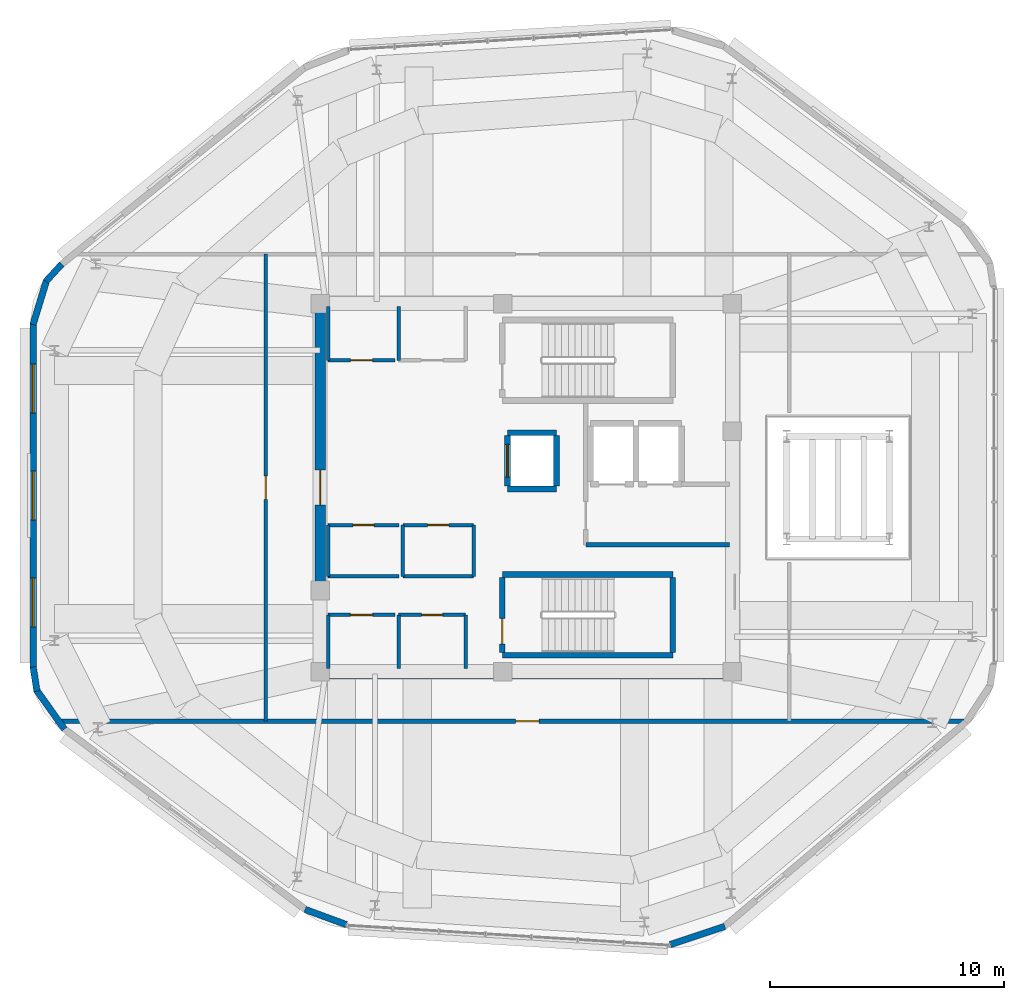
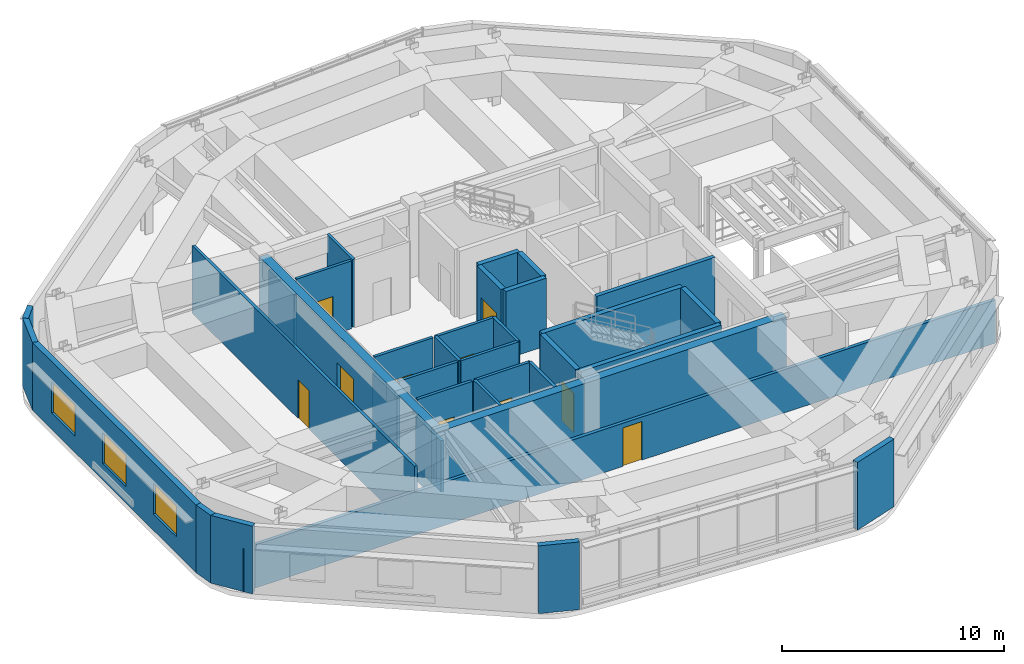
# One storey, part 14 of 17: 35 walls, 10 doors, 3 windows, 13 openings.
"""IFC4 building model written with IfcOpenShell, lengths in metres."""

from ifc_helpers import new_model, si_unit, direction, frame, frame_2d, origin, place, context, subcontext, project, spatial, rectangle, extrude, material, layer, layer_set, type_object, element, fill, save


model = new_model("IFC4")

# Units and contexts
model_context = context("Model", 3, precision=1e-05, world=origin(), true_north=direction((0.0, 1.0)))
body_context = subcontext(model_context, "Body", "Model", "MODEL_VIEW")
ifc_project = project(units=[si_unit("LENGTHUNIT", "METRE"), si_unit("AREAUNIT", "SQUARE_METRE"), si_unit("VOLUMEUNIT", "CUBIC_METRE"), si_unit("PLANEANGLEUNIT", "RADIAN"), si_unit("MASSUNIT", "GRAM", prefix="KILO")], contexts=[model_context])

# Site, building, storey
site_placement = place(None, origin())
site = spatial("IfcSite", under=ifc_project, at=site_placement, CompositionType="ELEMENT")
building_placement = place(site_placement, origin())
building = spatial("IfcBuilding", under=site, at=building_placement, Name="Zulverin Broadcast Headquarters", CompositionType="ELEMENT")
storey_placement = place(building_placement, frame((0.0, 0.0, 317.39990234375)))
storey = spatial("IfcBuildingStorey", under=building, at=storey_placement, Name="C2", CompositionType="ELEMENT", Elevation=317.39990234375)

# Wall
ifc_material_1 = material(Name="Concrete C50/60", Category="concrete")
ifc_layer_1 = layer(ifc_material_1, 0.449951171875, Name="Concrete C50/60", Category="concrete")
ifc_layer_set_1 = layer_set([ifc_layer_1], Name="Concrete C50/60")
wall_type_1 = type_object("IfcWallType", Name="WL-CORE-450", PredefinedType="SHEAR", material=ifc_layer_set_1)
wall_1_placement = place(storey_placement, frame((30.39990234375, 17.22509765625, 0.0), z_axis=(0.0, 0.0, 1.0), x_axis=(1.0, 0.0, 0.0)))
element("IfcWall", 1, at=wall_1_placement, inside=storey, type_object=wall_type_1, Name="C2 Core South Shear Wall", PredefinedType="SHEAR", context=body_context, shape_type="SweptSolid", body=[
    extrude(rectangle(XDim=18.2001953125, YDim=0.449951171875, at=frame_2d((9.10009765625, 0.0))), origin(), (0.0, 0.0, 1.0), 3.72021484375),
])

# Wall, opening, door
wall_2_placement = place(storey_placement, frame((30.625, 17.449951171875, 0.0), z_axis=(0.0, 0.0, 1.0), x_axis=(0.0, 1.0, 0.0)))
wall_2 = element("IfcWall", 2, at=wall_2_placement, inside=storey, type_object=wall_type_1, Name="C2 Core West Shear Wall", PredefinedType="SHEAR", context=body_context, shape_type="SweptSolid", body=[
    extrude(rectangle(XDim=15.5, YDim=0.449951171875, at=frame_2d((7.75, 0.0))), origin(), (0.0, 0.0, 1.0), 3.72021484375),
])
opening_1_placement = place(wall_2_placement, frame((7.0, 0.0, 0.0)))
opening_1 = element("IfcOpeningElement", 3, at=opening_1_placement, cuts=wall_2, Name="Opening D-C2-CW1", PredefinedType="OPENING", context=body_context, shape_type="SweptSolid", body=[
    extrude(rectangle(XDim=1.5, YDim=2.14990234375, at=frame_2d((0.75, 1.074951171875))), frame((0.0, 0.23486328125, 0.0), z_axis=(0.0, -1.0, 0.0), x_axis=(1.0, 0.0, 0.0)), (0.0, 0.0, 1.0), 0.469970703125),
])
ifc_material_2 = material(Name="Fire-rated glazed steel frame", Category="steel")
door_type_1 = type_object("IfcDoorType", Name="DR-COR-1500", OperationType="DOUBLE_DOOR_SINGLE_SWING", PredefinedType="DOOR", material=ifc_material_2)
door_1_placement = place(opening_1_placement, origin())
door_1 = element("IfcDoor", 4, at=door_1_placement, inside=storey, type_object=door_type_1, Name="C2 Central Lift Lobby West Portal Door", OperationType="DOUBLE_DOOR_SINGLE_SWING", OverallHeight=2.14990234375, OverallWidth=1.5, PredefinedType="DOOR", context=body_context, shape_type="SweptSolid", body=[
    extrude(rectangle(XDim=1.5, YDim=2.14990234375, at=frame_2d((0.75, 1.074951171875))), frame((0.0, 0.02490234375, 0.0), z_axis=(0.0, -1.0, 0.0), x_axis=(1.0, 0.0, 0.0)), (0.0, 0.0, 1.0), 0.050048828125),
])
fill(opening_1, door_1)

# Wall, openings, windows
ifc_material_3 = material(Name="Insulated pale-metal clad concrete spandrel C40/50", Category="concrete")
ifc_layer_2 = layer(ifc_material_3, 0.280029296875, Name="Insulated pale-metal clad concrete spandrel C40/50", Category="concrete")
ifc_layer_set_2 = layer_set([ifc_layer_2], Name="Insulated pale-metal clad concrete spandrel C40/50")
wall_type_2 = type_object("IfcWallType", Name="WL-EXT-280", PredefinedType="STANDARD", material=ifc_layer_set_2)
wall_3_placement = place(storey_placement, frame((18.340087890625, 32.2255859375, 0.0), z_axis=(0.0, 0.0, 1.0), x_axis=(0.0, -1.0, 0.0)))
wall_3 = element("IfcWall", 5, at=wall_3_placement, inside=storey, type_object=wall_type_2, Name="C2 Pale-Metal Clad Spandrel Wall 7", PredefinedType="STANDARD", context=body_context, shape_type="SweptSolid", body=[
    extrude(rectangle(XDim=14.724609375, YDim=0.280029296875, at=frame_2d((7.3623046875, 0.0))), origin(), (0.0, 0.0, 1.0), 3.72021484375),
])
opening_2_placement = place(wall_3_placement, frame((1.737548828125, 0.0, 0.89990234375)))
opening_2 = element("IfcOpeningElement", 6, at=opening_2_placement, cuts=wall_3, Name="Opening W-C2-E71", PredefinedType="OPENING", context=body_context, shape_type="SweptSolid", body=[
    extrude(rectangle(XDim=2.10009765625, YDim=1.699951171875, at=frame_2d((1.050048828125, 0.85009765625))), frame((0.0, 0.14990234375, 0.0), z_axis=(0.0, -1.0, 0.0), x_axis=(1.0, 0.0, 0.0)), (0.0, 0.0, 1.0), 0.300048828125),
])
opening_3_placement = place(wall_3_placement, frame((6.3125, 0.0, 0.89990234375)))
opening_3 = element("IfcOpeningElement", 7, at=opening_3_placement, cuts=wall_3, Name="Opening W-C2-E72", PredefinedType="OPENING", context=body_context, shape_type="SweptSolid", body=[
    extrude(rectangle(XDim=2.10009765625, YDim=1.699951171875, at=frame_2d((1.050048828125, 0.85009765625))), frame((0.0, 0.14990234375, 0.0), z_axis=(0.0, -1.0, 0.0), x_axis=(1.0, 0.0, 0.0)), (0.0, 0.0, 1.0), 0.300048828125),
])
opening_4_placement = place(wall_3_placement, frame((10.88720703125, 0.0, 0.89990234375)))
opening_4 = element("IfcOpeningElement", 8, at=opening_4_placement, cuts=wall_3, Name="Opening W-C2-E73", PredefinedType="OPENING", context=body_context, shape_type="SweptSolid", body=[
    extrude(rectangle(XDim=2.10009765625, YDim=1.699951171875, at=frame_2d((1.050048828125, 0.85009765625))), frame((0.0, 0.14990234375, 0.0), z_axis=(0.0, -1.0, 0.0), x_axis=(1.0, 0.0, 0.0)), (0.0, 0.0, 1.0), 0.300048828125),
])
ifc_material_4 = material(Name="Pale anodized aluminium frame with solar-control low-E double glazing", Category="aluminium")
window_type = type_object("IfcWindowType", Name="WIN-CRN-2100", PartitioningType="SINGLE_PANEL", PredefinedType="WINDOW", material=ifc_material_4)
window_1_placement = place(opening_2_placement, origin())
window_1 = element("IfcWindow", 9, at=window_1_placement, inside=storey, type_object=window_type, Name="C2 Ribbon Glazing Window 7 1", OverallHeight=1.699951171875, OverallWidth=2.10009765625, PartitioningType="SINGLE_PANEL", PredefinedType="WINDOW", context=body_context, shape_type="SweptSolid", body=[
    extrude(rectangle(XDim=2.10009765625, YDim=1.699951171875, at=frame_2d((1.050048828125, 0.85009765625))), frame((0.0, 0.030029296875, 0.0), z_axis=(0.0, -1.0, 0.0), x_axis=(1.0, 0.0, 0.0)), (0.0, 0.0, 1.0), 0.06005859375),
])
fill(opening_2, window_1)
window_2_placement = place(opening_3_placement, origin())
window_2 = element("IfcWindow", 10, at=window_2_placement, inside=storey, type_object=window_type, Name="C2 Ribbon Glazing Window 7 2", OverallHeight=1.699951171875, OverallWidth=2.10009765625, PartitioningType="SINGLE_PANEL", PredefinedType="WINDOW", context=body_context, shape_type="SweptSolid", body=[
    extrude(rectangle(XDim=2.10009765625, YDim=1.699951171875, at=frame_2d((1.050048828125, 0.85009765625))), frame((0.0, 0.030029296875, 0.0), z_axis=(0.0, -1.0, 0.0), x_axis=(1.0, 0.0, 0.0)), (0.0, 0.0, 1.0), 0.06005859375),
])
fill(opening_3, window_2)
window_3_placement = place(opening_4_placement, origin())
window_3 = element("IfcWindow", 11, at=window_3_placement, inside=storey, type_object=window_type, Name="C2 Ribbon Glazing Window 7 3", OverallHeight=1.699951171875, OverallWidth=2.10009765625, PartitioningType="SINGLE_PANEL", PredefinedType="WINDOW", context=body_context, shape_type="SweptSolid", body=[
    extrude(rectangle(XDim=2.10009765625, YDim=1.699951171875, at=frame_2d((1.050048828125, 0.85009765625))), frame((0.0, 0.030029296875, 0.0), z_axis=(0.0, -1.0, 0.0), x_axis=(1.0, 0.0, 0.0)), (0.0, 0.0, 1.0), 0.06005859375),
])
fill(opening_4, window_3)

# Walls
wall_4_placement = place(storey_placement, frame((45.611083984375, 5.63720703125, 0.0), z_axis=(0.0, 0.0, 1.0), x_axis=(0.949156955877, 0.314803229192, 0.0)))
element("IfcWall", 12, at=wall_4_placement, inside=storey, type_object=wall_type_2, Name="C2 Wind-Shaped Corner Spandrel Wall 1-1", PredefinedType="STANDARD", context=body_context, shape_type="SweptSolid", body=[
    extrude(rectangle(XDim=2.468505859375, YDim=0.280029296875, at=frame_2d((1.234375, 0.0))), origin(), (0.0, 0.0, 1.0), 3.72021484375),
])
wall_5_placement = place(storey_placement, frame((19.564208984375, 34.77392578125, 0.0), z_axis=(0.0, 0.0, 1.0), x_axis=(-0.675845585144, -0.737043245028, 0.0)))
element("IfcWall", 13, at=wall_5_placement, inside=storey, type_object=wall_type_2, Name="C2 Wind-Shaped Corner Spandrel Wall 6-1", PredefinedType="STANDARD", context=body_context, shape_type="SweptSolid", body=[
    extrude(rectangle(XDim=1.00537109375, YDim=0.280029296875, at=frame_2d((0.502685546875, 0.0))), origin(), (0.0, 0.0, 1.0), 3.72021484375),
])
wall_6_placement = place(storey_placement, frame((18.91552734375, 34.086669921875, 0.0), z_axis=(0.0, 0.0, 1.0), x_axis=(-0.292411894515, -0.956292467787, 0.0)))
element("IfcWall", 14, at=wall_6_placement, inside=storey, type_object=wall_type_2, Name="C2 Wind-Shaped Corner Spandrel Wall 6-2", PredefinedType="STANDARD", context=body_context, shape_type="SweptSolid", body=[
    extrude(rectangle(XDim=1.98876953125, YDim=0.280029296875, at=frame_2d((0.994384765625, 0.0))), origin(), (0.0, 0.0, 1.0), 3.72021484375),
])
wall_7_placement = place(storey_placement, frame((18.33837890625, 17.5224609375, 0.0), z_axis=(0.0, 0.0, 1.0), x_axis=(0.153878999855, -0.988089699068, 0.0)))
element("IfcWall", 15, at=wall_7_placement, inside=storey, type_object=wall_type_2, Name="C2 Wind-Shaped Corner Spandrel Wall 7-1", PredefinedType="STANDARD", context=body_context, shape_type="SweptSolid", body=[
    extrude(rectangle(XDim=1.047119140625, YDim=0.280029296875, at=frame_2d((0.5234375, 0.0))), origin(), (0.0, 0.0, 1.0), 3.72021484375),
])
wall_8_placement = place(storey_placement, frame((18.475341796875, 16.54736328125, 0.0), z_axis=(0.0, 0.0, 1.0), x_axis=(0.579786647816, -0.814768337022, 0.0)))
element("IfcWall", 16, at=wall_8_placement, inside=storey, type_object=wall_type_2, Name="C2 Wind-Shaped Corner Spandrel Wall 7-2", PredefinedType="STANDARD", context=body_context, shape_type="SweptSolid", body=[
    extrude(rectangle(XDim=2.069580078125, YDim=0.280029296875, at=frame_2d((1.03466796875, 0.0))), origin(), (0.0, 0.0, 1.0), 3.72021484375),
])
wall_9_placement = place(storey_placement, frame((29.978271484375, 7.1416015625, 0.0), z_axis=(0.0, 0.0, 1.0), x_axis=(0.938531023634, -0.345194898103, 0.0)))
element("IfcWall", 17, at=wall_9_placement, inside=storey, type_object=wall_type_2, Name="C2 Wind-Shaped Corner Spandrel Wall 8-1", PredefinedType="STANDARD", context=body_context, shape_type="SweptSolid", body=[
    extrude(rectangle(XDim=1.884033203125, YDim=0.280029296875, at=frame_2d((0.94189453125, 0.0))), origin(), (0.0, 0.0, 1.0), 3.72021484375),
])
ifc_material_5 = material(Name="Concrete C40/50", Category="concrete")
ifc_layer_3 = layer(ifc_material_5, 0.199951171875, Name="Concrete C40/50", Category="concrete")
ifc_layer_set_3 = layer_set([ifc_layer_3], Name="Concrete C40/50")
wall_type_3 = type_object("IfcWallType", Name="WL-FFL-200", PredefinedType="SOLIDWALL", material=ifc_layer_set_3)
wall_10_placement = place(storey_placement, frame((42.0, 22.75, 0.0), z_axis=(0.0, 0.0, 1.0), x_axis=(1.0, 0.0, 0.0)))
element("IfcWall", 18, at=wall_10_placement, inside=storey, type_object=wall_type_3, Name="C2 Firefighting Lift Lobby South Wall", PredefinedType="SOLIDWALL", context=body_context, shape_type="SweptSolid", body=[
    extrude(rectangle(XDim=6.14990234375, YDim=0.199951171875, at=frame_2d((3.074951171875, 0.0))), origin(), (0.0, 0.0, 1.0), 3.72021484375),
])

# Wall, opening, door
ifc_material_6 = material(Name="Fire-rated gypsum stud partition", Category="gypsum")
ifc_layer_4 = layer(ifc_material_6, 0.14990234375, Name="Fire-rated gypsum stud partition", Category="gypsum")
ifc_layer_set_4 = layer_set([ifc_layer_4], Name="Fire-rated gypsum stud partition")
wall_type_4 = type_object("IfcWallType", Name="WL-PART-150", PredefinedType="PARTITIONING", material=ifc_layer_set_4)
wall_11_placement = place(storey_placement, frame((30.969970703125, 30.64990234375, 0.0), z_axis=(0.0, 0.0, 1.0), x_axis=(1.0, 0.0, 0.0)))
wall_11 = element("IfcWall", 19, at=wall_11_placement, inside=storey, type_object=wall_type_4, Name="C2 Core Male WC Front Wall", PredefinedType="PARTITIONING", context=body_context, shape_type="SweptSolid", body=[
    extrude(rectangle(XDim=2.860107421875, YDim=0.14990234375, at=frame_2d((1.43017578125, 0.0))), origin(), (0.0, 0.0, 1.0), 3.72021484375),
])
opening_5_placement = place(wall_11_placement, frame((0.955078125, 0.0, 0.0)))
opening_5 = element("IfcOpeningElement", 20, at=opening_5_placement, cuts=wall_11, Name="Opening D-C2-NC1", PredefinedType="OPENING", context=body_context, shape_type="SweptSolid", body=[
    extrude(rectangle(XDim=0.949951171875, YDim=2.10009765625, at=frame_2d((0.47509765625, 1.050048828125))), frame((0.0, 0.0849609375, 0.0), z_axis=(0.0, -1.0, 0.0), x_axis=(1.0, 0.0, 0.0)), (0.0, 0.0, 1.0), 0.169921875),
])
ifc_material_7 = material(Name="Fire-rated moisture-resistant laminate leaf", Category="wood")
door_type_2 = type_object("IfcDoorType", Name="DR-WC-950", OperationType="SINGLE_SWING_LEFT", PredefinedType="DOOR", material=ifc_material_7)
door_2_placement = place(opening_5_placement, origin())
door_2 = element("IfcDoor", 21, at=door_2_placement, inside=storey, type_object=door_type_2, Name="C2 Male WC Door", OperationType="SINGLE_SWING_LEFT", OverallHeight=2.10009765625, OverallWidth=0.949951171875, PredefinedType="DOOR", context=body_context, shape_type="SweptSolid", body=[
    extrude(rectangle(XDim=0.949951171875, YDim=2.10009765625, at=frame_2d((0.47509765625, 1.050048828125))), frame((0.0, 0.02490234375, 0.0), z_axis=(0.0, -1.0, 0.0), x_axis=(1.0, 0.0, 0.0)), (0.0, 0.0, 1.0), 0.050048828125),
])
fill(opening_5, door_2)

# Walls
wall_12_placement = place(storey_placement, frame((30.969970703125, 30.64990234375, 0.0), z_axis=(0.0, 0.0, 1.0), x_axis=(0.0, 1.0, 0.0)))
element("IfcWall", 22, at=wall_12_placement, inside=storey, type_object=wall_type_4, Name="C2 Core Male WC West Wall", PredefinedType="PARTITIONING", context=body_context, shape_type="SweptSolid", body=[
    extrude(rectangle(XDim=2.300048828125, YDim=0.14990234375, at=frame_2d((1.14990234375, 0.0))), origin(), (0.0, 0.0, 1.0), 2.820068359375),
])
wall_13_placement = place(storey_placement, frame((33.989990234375, 30.64990234375, 0.0), z_axis=(0.0, 0.0, 1.0), x_axis=(0.0, 1.0, 0.0)))
element("IfcWall", 23, at=wall_13_placement, inside=storey, type_object=wall_type_4, Name="C2 Core Accessible WC West Wall", PredefinedType="PARTITIONING", context=body_context, shape_type="SweptSolid", body=[
    extrude(rectangle(XDim=2.300048828125, YDim=0.14990234375, at=frame_2d((1.14990234375, 0.0))), origin(), (0.0, 0.0, 1.0), 3.72021484375),
])

# Wall, opening, door
wall_14_placement = place(storey_placement, frame((30.969970703125, 19.75, 0.0), z_axis=(0.0, 0.0, 1.0), x_axis=(1.0, 0.0, 0.0)))
wall_14 = element("IfcWall", 24, at=wall_14_placement, inside=storey, type_object=wall_type_4, Name="C2 Core Female WC Front Wall", PredefinedType="PARTITIONING", context=body_context, shape_type="SweptSolid", body=[
    extrude(rectangle(XDim=2.860107421875, YDim=0.14990234375, at=frame_2d((1.43017578125, 0.0))), origin(), (0.0, 0.0, 1.0), 3.72021484375),
])
opening_6_placement = place(wall_14_placement, frame((0.955078125, 0.0, 0.0)))
opening_6 = element("IfcOpeningElement", 25, at=opening_6_placement, cuts=wall_14, Name="Opening D-C2-SC1", PredefinedType="OPENING", context=body_context, shape_type="SweptSolid", body=[
    extrude(rectangle(XDim=0.949951171875, YDim=2.10009765625, at=frame_2d((0.47509765625, 1.050048828125))), frame((0.0, 0.0849609375, 0.0), z_axis=(0.0, -1.0, 0.0), x_axis=(1.0, 0.0, 0.0)), (0.0, 0.0, 1.0), 0.169921875),
])
door_3_placement = place(opening_6_placement, origin())
door_3 = element("IfcDoor", 26, at=door_3_placement, inside=storey, type_object=door_type_2, Name="C2 Female WC Door", OperationType="SINGLE_SWING_LEFT", OverallHeight=2.10009765625, OverallWidth=0.949951171875, PredefinedType="DOOR", context=body_context, shape_type="SweptSolid", body=[
    extrude(rectangle(XDim=0.949951171875, YDim=2.10009765625, at=frame_2d((0.47509765625, 1.050048828125))), frame((0.0, 0.02490234375, 0.0), z_axis=(0.0, -1.0, 0.0), x_axis=(1.0, 0.0, 0.0)), (0.0, 0.0, 1.0), 0.050048828125),
])
fill(opening_6, door_3)

# Wall
wall_15_placement = place(storey_placement, frame((30.969970703125, 17.449951171875, 0.0), z_axis=(0.0, 0.0, 1.0), x_axis=(0.0, 1.0, 0.0)))
element("IfcWall", 27, at=wall_15_placement, inside=storey, type_object=wall_type_4, Name="C2 Core Female WC West Wall", PredefinedType="PARTITIONING", context=body_context, shape_type="SweptSolid", body=[
    extrude(rectangle(XDim=2.300048828125, YDim=0.14990234375, at=frame_2d((1.14990234375, 0.0))), origin(), (0.0, 0.0, 1.0), 2.820068359375),
])

# Wall, opening, door
wall_16_placement = place(storey_placement, frame((33.989990234375, 19.75, 0.0), z_axis=(0.0, 0.0, 1.0), x_axis=(1.0, 0.0, 0.0)))
wall_16 = element("IfcWall", 28, at=wall_16_placement, inside=storey, type_object=wall_type_4, Name="C2 Core Cleaner Store Front Wall", PredefinedType="PARTITIONING", context=body_context, shape_type="SweptSolid", body=[
    extrude(rectangle(XDim=2.860107421875, YDim=0.14990234375, at=frame_2d((1.43017578125, 0.0))), origin(), (0.0, 0.0, 1.0), 3.72021484375),
])
opening_7_placement = place(wall_16_placement, frame((0.97998046875, 0.0, 0.0)))
opening_7 = element("IfcOpeningElement", 29, at=opening_7_placement, cuts=wall_16, Name="Opening D-C2-SC2", PredefinedType="OPENING", context=body_context, shape_type="SweptSolid", body=[
    extrude(rectangle(XDim=0.89990234375, YDim=2.10009765625, at=frame_2d((0.449951171875, 1.050048828125))), frame((0.0, 0.0849609375, 0.0), z_axis=(0.0, -1.0, 0.0), x_axis=(1.0, 0.0, 0.0)), (0.0, 0.0, 1.0), 0.169921875),
])
ifc_material_8 = material(Name="Powder-coated steel access leaf", Category="steel")
door_type_3 = type_object("IfcDoorType", Name="DR-RISER-900", OperationType="SINGLE_SWING_LEFT", PredefinedType="DOOR", material=ifc_material_8)
door_4_placement = place(opening_7_placement, origin())
door_4 = element("IfcDoor", 30, at=door_4_placement, inside=storey, type_object=door_type_3, Name="C2 Cleaner Store Door", OperationType="SINGLE_SWING_RIGHT", OverallHeight=2.10009765625, OverallWidth=0.89990234375, PredefinedType="DOOR", context=body_context, shape_type="SweptSolid", body=[
    extrude(rectangle(XDim=0.89990234375, YDim=2.10009765625, at=frame_2d((0.449951171875, 1.050048828125))), frame((0.0, 0.02490234375, 0.0), z_axis=(0.0, -1.0, 0.0), x_axis=(1.0, 0.0, 0.0)), (0.0, 0.0, 1.0), 0.050048828125),
])
fill(opening_7, door_4)

# Walls
for number, where, z_axis, x_axis, name in (
    (31, (33.989990234375, 17.449951171875, 0.0), (0.0, 0.0, 1.0), (0.0, 1.0, 0.0), "C2 Core Cleaner Store West Wall"),
    (32, (36.85009765625, 17.449951171875, 0.0), (0.0, 0.0, 1.0), (0.0, 1.0, 0.0), "C2 Core Cleaner Store East Wall"),
):
    element("IfcWall", number, at=place(storey_placement, frame(where, z_axis=z_axis, x_axis=x_axis)), inside=storey, type_object=wall_type_4, Name=name, PredefinedType="PARTITIONING", context=body_context, shape_type="SweptSolid", body=[
        extrude(rectangle(XDim=2.300048828125, YDim=0.14990234375, at=frame_2d((1.14990234375, 0.0))), origin(), (0.0, 0.0, 1.0), 3.72021484375),
    ])
wall_17_placement = place(storey_placement, frame((30.969970703125, 21.39990234375, 0.0), z_axis=(0.0, 0.0, 1.0), x_axis=(1.0, 0.0, 0.0)))
element("IfcWall", 33, at=wall_17_placement, inside=storey, type_object=wall_type_4, Name="C2 Crown Mechanical Riser Room S Wall", PredefinedType="PARTITIONING", context=body_context, shape_type="SweptSolid", body=[
    extrude(rectangle(XDim=3.034912109375, YDim=0.14990234375, at=frame_2d((1.517578125, 0.0))), origin(), (0.0, 0.0, 1.0), 3.72021484375),
])

# Wall, opening, door
wall_18_placement = place(storey_placement, frame((30.969970703125, 23.60009765625, 0.0), z_axis=(0.0, 0.0, 1.0), x_axis=(1.0, 0.0, 0.0)))
wall_18 = element("IfcWall", 34, at=wall_18_placement, inside=storey, type_object=wall_type_4, Name="C2 Crown Mechanical Riser Room N Wall", PredefinedType="PARTITIONING", context=body_context, shape_type="SweptSolid", body=[
    extrude(rectangle(XDim=3.034912109375, YDim=0.14990234375, at=frame_2d((1.517578125, 0.0))), origin(), (0.0, 0.0, 1.0), 3.72021484375),
])
opening_8_placement = place(wall_18_placement, frame((1.0673828125, 0.0, 0.0)))
opening_8 = element("IfcOpeningElement", 35, at=opening_8_placement, cuts=wall_18, Name="Opening D-C2-RM1", PredefinedType="OPENING", context=body_context, shape_type="SweptSolid", body=[
    extrude(rectangle(XDim=0.89990234375, YDim=2.10009765625, at=frame_2d((0.449951171875, 1.050048828125))), frame((0.0, 0.0849609375, 0.0), z_axis=(0.0, -1.0, 0.0), x_axis=(1.0, 0.0, 0.0)), (0.0, 0.0, 1.0), 0.169921875),
])
door_5_placement = place(opening_8_placement, origin())
door_5 = element("IfcDoor", 36, at=door_5_placement, inside=storey, type_object=door_type_3, Name="C2 Crown Mechanical Riser Room Door", OperationType="SINGLE_SWING_LEFT", OverallHeight=2.10009765625, OverallWidth=0.89990234375, PredefinedType="DOOR", context=body_context, shape_type="SweptSolid", body=[
    extrude(rectangle(XDim=0.89990234375, YDim=2.10009765625, at=frame_2d((0.449951171875, 1.050048828125))), frame((0.0, 0.02490234375, 0.0), z_axis=(0.0, -1.0, 0.0), x_axis=(1.0, 0.0, 0.0)), (0.0, 0.0, 1.0), 0.050048828125),
])
fill(opening_8, door_5)

# Walls
wall_19_placement = place(storey_placement, frame((30.969970703125, 21.39990234375, 0.0), z_axis=(0.0, 0.0, 1.0), x_axis=(0.0, 1.0, 0.0)))
element("IfcWall", 37, at=wall_19_placement, inside=storey, type_object=wall_type_4, Name="C2 Crown Mechanical Riser Room W Wall", PredefinedType="PARTITIONING", context=body_context, shape_type="SweptSolid", body=[
    extrude(rectangle(XDim=2.2001953125, YDim=0.14990234375, at=frame_2d((1.10009765625, 0.0))), origin(), (0.0, 0.0, 1.0), 2.820068359375),
])
wall_20_placement = place(storey_placement, frame((34.1650390625, 21.39990234375, 0.0), z_axis=(0.0, 0.0, 1.0), x_axis=(1.0, 0.0, 0.0)))
element("IfcWall", 38, at=wall_20_placement, inside=storey, type_object=wall_type_4, Name="C2 Crown Electrical Plant Room S Wall", PredefinedType="PARTITIONING", context=body_context, shape_type="SweptSolid", body=[
    extrude(rectangle(XDim=3.034912109375, YDim=0.14990234375, at=frame_2d((1.517578125, 0.0))), origin(), (0.0, 0.0, 1.0), 3.72021484375),
])

# Wall, opening, door
wall_21_placement = place(storey_placement, frame((34.1650390625, 23.60009765625, 0.0), z_axis=(0.0, 0.0, 1.0), x_axis=(1.0, 0.0, 0.0)))
wall_21 = element("IfcWall", 39, at=wall_21_placement, inside=storey, type_object=wall_type_4, Name="C2 Crown Electrical Plant Room N Wall", PredefinedType="PARTITIONING", context=body_context, shape_type="SweptSolid", body=[
    extrude(rectangle(XDim=3.034912109375, YDim=0.14990234375, at=frame_2d((1.517578125, 0.0))), origin(), (0.0, 0.0, 1.0), 3.72021484375),
])
opening_9_placement = place(wall_21_placement, frame((1.0673828125, 0.0, 0.0)))
opening_9 = element("IfcOpeningElement", 40, at=opening_9_placement, cuts=wall_21, Name="Opening D-C2-RM2", PredefinedType="OPENING", context=body_context, shape_type="SweptSolid", body=[
    extrude(rectangle(XDim=0.89990234375, YDim=2.10009765625, at=frame_2d((0.449951171875, 1.050048828125))), frame((0.0, 0.0849609375, 0.0), z_axis=(0.0, -1.0, 0.0), x_axis=(1.0, 0.0, 0.0)), (0.0, 0.0, 1.0), 0.169921875),
])
door_6_placement = place(opening_9_placement, origin())
door_6 = element("IfcDoor", 41, at=door_6_placement, inside=storey, type_object=door_type_3, Name="C2 Crown Electrical Plant Room Door", OperationType="SINGLE_SWING_RIGHT", OverallHeight=2.10009765625, OverallWidth=0.89990234375, PredefinedType="DOOR", context=body_context, shape_type="SweptSolid", body=[
    extrude(rectangle(XDim=0.89990234375, YDim=2.10009765625, at=frame_2d((0.449951171875, 1.050048828125))), frame((0.0, 0.02490234375, 0.0), z_axis=(0.0, -1.0, 0.0), x_axis=(1.0, 0.0, 0.0)), (0.0, 0.0, 1.0), 0.050048828125),
])
fill(opening_9, door_6)

# Walls
for number, where, z_axis, x_axis, name in (
    (42, (34.1650390625, 21.39990234375, 0.0), (0.0, 0.0, 1.0), (0.0, 1.0, 0.0), "C2 Crown Electrical Plant Room W Wall"),
    (43, (37.199951171875, 21.39990234375, 0.0), (0.0, 0.0, 1.0), (0.0, 1.0, 0.0), "C2 Crown Electrical Plant Room E Wall"),
):
    element("IfcWall", number, at=place(storey_placement, frame(where, z_axis=z_axis, x_axis=x_axis)), inside=storey, type_object=wall_type_4, Name=name, PredefinedType="PARTITIONING", context=body_context, shape_type="SweptSolid", body=[
        extrude(rectangle(XDim=2.2001953125, YDim=0.14990234375, at=frame_2d((1.10009765625, 0.0))), origin(), (0.0, 0.0, 1.0), 3.72021484375),
    ])

# Wall, opening, door
wall_22_placement = place(storey_placement, frame((28.300048828125, 15.199951171875, 0.0), z_axis=(0.0, 0.0, 1.0), x_axis=(0.0, 1.0, 0.0)))
wall_22 = element("IfcWall", 44, at=wall_22_placement, inside=storey, type_object=wall_type_4, Name="C2 Gallery Partition Wall CG-03", PredefinedType="PARTITIONING", context=body_context, shape_type="SweptSolid", body=[
    extrude(rectangle(XDim=20.0, YDim=0.14990234375, at=frame_2d((10.0, 0.0))), origin(), (0.0, 0.0, 1.0), 3.72021484375),
])
opening_10_placement = place(wall_22_placement, frame((9.5, 0.0, 0.0)))
opening_10 = element("IfcOpeningElement", 45, at=opening_10_placement, cuts=wall_22, Name="Opening D-C2-CR1", PredefinedType="OPENING", context=body_context, shape_type="SweptSolid", body=[
    extrude(rectangle(XDim=1.0, YDim=2.1201171875, at=frame_2d((0.5, 1.06005859375))), frame((0.0, 0.0849609375, 0.0), z_axis=(0.0, -1.0, 0.0), x_axis=(1.0, 0.0, 0.0)), (0.0, 0.0, 1.0), 0.169921875),
])
ifc_material_9 = material(Name="Hardwood veneer acoustic leaf", Category="wood")
door_type_4 = type_object("IfcDoorType", Name="DR-OFF-1000", OperationType="SINGLE_SWING_LEFT", PredefinedType="DOOR", material=ifc_material_9)
door_7_placement = place(opening_10_placement, origin())
door_7 = element("IfcDoor", 46, at=door_7_placement, inside=storey, type_object=door_type_4, Name="C2 Standby UPS Battery Plant Room Door", OperationType="SINGLE_SWING_LEFT", OverallHeight=2.1201171875, OverallWidth=1.0, PredefinedType="DOOR", context=body_context, shape_type="SweptSolid", body=[
    extrude(rectangle(XDim=1.0, YDim=2.1201171875, at=frame_2d((0.5, 1.06005859375))), frame((0.0, 0.02490234375, 0.0), z_axis=(0.0, -1.0, 0.0), x_axis=(1.0, 0.0, 0.0)), (0.0, 0.0, 1.0), 0.050048828125),
])
fill(opening_10, door_7)

ifc_material_10 = material(Name="Fire-rated acoustic stud wall", Category="gypsum")
ifc_layer_5 = layer(ifc_material_10, 0.175048828125, Name="Fire-rated acoustic stud wall", Category="gypsum")
ifc_layer_set_5 = layer_set([ifc_layer_5], Name="Fire-rated acoustic stud wall")
wall_type_5 = type_object("IfcWallType", Name="WL-PART-175", PredefinedType="PARTITIONING", material=ifc_layer_set_5)
wall_23_placement = place(storey_placement, frame((19.29150390625, 15.199951171875, 0.0), z_axis=(0.0, 0.0, 1.0), x_axis=(1.0, 0.0, 0.0)))
wall_23 = element("IfcWall", 47, at=wall_23_placement, inside=storey, type_object=wall_type_5, Name="C2 Gallery Partition Wall CG-04", PredefinedType="PARTITIONING", context=body_context, shape_type="SweptSolid", body=[
    extrude(rectangle(XDim=39.07568359375, YDim=0.175048828125, at=frame_2d((19.537841796875, 0.0))), origin(), (0.0, 0.0, 1.0), 2.3701171875),
])
opening_11_placement = place(wall_23_placement, frame((19.70849609375, 0.0, 0.0)))
opening_11 = element("IfcOpeningElement", 48, at=opening_11_placement, cuts=wall_23, Name="Opening D-C2-CR4", PredefinedType="OPENING", context=body_context, shape_type="SweptSolid", body=[
    extrude(rectangle(XDim=1.0, YDim=2.1201171875, at=frame_2d((0.5, 1.06005859375))), frame((0.0, 0.097412109375, 0.0), z_axis=(0.0, -1.0, 0.0), x_axis=(1.0, 0.0, 0.0)), (0.0, 0.0, 1.0), 0.195068359375),
])
door_8_placement = place(opening_11_placement, origin())
door_8 = element("IfcDoor", 49, at=door_8_placement, inside=storey, type_object=door_type_4, Name="C2 Microwave & Satellite Link Plant Room Door", OperationType="SINGLE_SWING_RIGHT", OverallHeight=2.1201171875, OverallWidth=1.0, PredefinedType="DOOR", context=body_context, shape_type="SweptSolid", body=[
    extrude(rectangle(XDim=1.0, YDim=2.1201171875, at=frame_2d((0.5, 1.06005859375))), frame((0.0, 0.02490234375, 0.0), z_axis=(0.0, -1.0, 0.0), x_axis=(1.0, 0.0, 0.0)), (0.0, 0.0, 1.0), 0.050048828125),
])
fill(opening_11, door_8)

# Walls
ifc_layer_6 = layer(ifc_material_1, 0.25, Name="Concrete C50/60", Category="concrete")
ifc_layer_set_6 = layer_set([ifc_layer_6], Name="Concrete C50/60")
wall_type_6 = type_object("IfcWallType", Name="WL-SHAFT-250", PredefinedType="SHEAR", material=ifc_layer_set_6)
for number, where, z_axis, x_axis, name in (
    (50, (38.425048828125, 18.02490234375, 0.0), (0.0, 0.0, 1.0), (1.0, 0.0, 0.0), "C2 ST-2 Enclosure Wall S"),
    (51, (38.425048828125, 21.47509765625, 0.0), (0.0, 0.0, 1.0), (1.0, 0.0, 0.0), "C2 ST-2 Enclosure Wall N"),
):
    element("IfcWall", number, at=place(storey_placement, frame(where, z_axis=z_axis, x_axis=x_axis)), inside=storey, type_object=wall_type_6, Name=name, PredefinedType="SHEAR", context=body_context, shape_type="SweptSolid", body=[
        extrude(rectangle(XDim=7.300048828125, YDim=0.25, at=frame_2d((3.64990234375, 0.0))), origin(), (0.0, 0.0, 1.0), 3.72021484375),
    ])

# Wall, opening, door
wall_24_placement = place(storey_placement, frame((38.425048828125, 18.14990234375, 0.0), z_axis=(0.0, 0.0, 1.0), x_axis=(0.0, 1.0, 0.0)))
wall_24 = element("IfcWall", 52, at=wall_24_placement, inside=storey, type_object=wall_type_6, Name="C2 ST-2 Enclosure Wall W", PredefinedType="SHEAR", context=body_context, shape_type="SweptSolid", body=[
    extrude(rectangle(XDim=3.2001953125, YDim=0.25, at=frame_2d((1.60009765625, 0.0))), origin(), (0.0, 0.0, 1.0), 3.72021484375),
])
opening_12_placement = place(wall_24_placement, frame((0.35009765625, 0.0, 0.0)))
opening_12 = element("IfcOpeningElement", 53, at=opening_12_placement, cuts=wall_24, Name="Opening D-C2-ST-2", PredefinedType="OPENING", context=body_context, shape_type="SweptSolid", body=[
    extrude(rectangle(XDim=1.10009765625, YDim=2.14990234375, at=frame_2d((0.550048828125, 1.074951171875))), frame((0.0, 0.135009765625, 0.0), z_axis=(0.0, -1.0, 0.0), x_axis=(1.0, 0.0, 0.0)), (0.0, 0.0, 1.0), 0.27001953125),
])
ifc_material_11 = material(Name="Fire-rated steel leaf and frame", Category="steel")
door_type_5 = type_object("IfcDoorType", Name="DR-STAIR-1100", OperationType="SINGLE_SWING_LEFT", PredefinedType="DOOR", material=ifc_material_11)
door_9_placement = place(opening_12_placement, origin())
door_9 = element("IfcDoor", 54, at=door_9_placement, inside=storey, type_object=door_type_5, Name="C2 Exit Stair ST-2 Fire Door", OperationType="SINGLE_SWING_RIGHT", OverallHeight=2.14990234375, OverallWidth=1.10009765625, PredefinedType="DOOR", context=body_context, shape_type="SweptSolid", body=[
    extrude(rectangle(XDim=1.10009765625, YDim=2.14990234375, at=frame_2d((0.550048828125, 1.074951171875))), frame((0.0, 0.02490234375, 0.0), z_axis=(0.0, -1.0, 0.0), x_axis=(1.0, 0.0, 0.0)), (0.0, 0.0, 1.0), 0.050048828125),
])
fill(opening_12, door_9)

# Walls
wall_25_placement = place(storey_placement, frame((45.72509765625, 18.14990234375, 0.0), z_axis=(0.0, 0.0, 1.0), x_axis=(0.0, 1.0, 0.0)))
element("IfcWall", 55, at=wall_25_placement, inside=storey, type_object=wall_type_6, Name="C2 ST-2 Enclosure Wall E", PredefinedType="SHEAR", context=body_context, shape_type="SweptSolid", body=[
    extrude(rectangle(XDim=3.2001953125, YDim=0.25, at=frame_2d((1.60009765625, 0.0))), origin(), (0.0, 0.0, 1.0), 3.72021484375),
])
for number, where, z_axis, x_axis, name in (
    (56, (38.64990234375, 25.14990234375, 0.0), (0.0, 0.0, 1.0), (1.0, 0.0, 0.0), "C2 Lift SVL-1 Shaft Wall S"),
    (57, (38.64990234375, 27.550048828125, 0.0), (0.0, 0.0, 1.0), (1.0, 0.0, 0.0), "C2 Lift SVL-1 Shaft Wall N"),
):
    element("IfcWall", number, at=place(storey_placement, frame(where, z_axis=z_axis, x_axis=x_axis)), inside=storey, type_object=wall_type_6, Name=name, PredefinedType="SHEAR", context=body_context, shape_type="SweptSolid", body=[
        extrude(rectangle(XDim=2.10009765625, YDim=0.25, at=frame_2d((1.050048828125, 0.0))), origin(), (0.0, 0.0, 1.0), 3.72021484375),
    ])

# Wall, opening, door
wall_26_placement = place(storey_placement, frame((38.64990234375, 25.27001953125, 0.0), z_axis=(0.0, 0.0, 1.0), x_axis=(0.0, 1.0, 0.0)))
wall_26 = element("IfcWall", 58, at=wall_26_placement, inside=storey, type_object=wall_type_6, Name="C2 Lift SVL-1 Shaft Wall W", PredefinedType="SHEAR", context=body_context, shape_type="SweptSolid", body=[
    extrude(rectangle(XDim=2.159912109375, YDim=0.25, at=frame_2d((1.080078125, 0.0))), origin(), (0.0, 0.0, 1.0), 3.72021484375),
])
opening_13_placement = place(wall_26_placement, frame((0.3798828125, 0.0, 0.0)))
opening_13 = element("IfcOpeningElement", 59, at=opening_13_placement, cuts=wall_26, Name="Opening LD-SVL-1-C2", PredefinedType="OPENING", context=body_context, shape_type="SweptSolid", body=[
    extrude(rectangle(XDim=1.39990234375, YDim=2.199951171875, at=frame_2d((0.699951171875, 1.10009765625))), frame((0.0, 0.135009765625, 0.0), z_axis=(0.0, -1.0, 0.0), x_axis=(1.0, 0.0, 0.0)), (0.0, 0.0, 1.0), 0.27001953125),
])
ifc_material_12 = material(Name="Heavy-duty stainless landing door", Category="steel")
door_type_6 = type_object("IfcDoorType", Name="LD-GOODS-1400", OperationType="DOUBLE_DOOR_SLIDING", PredefinedType="DOOR", material=ifc_material_12)
door_10_placement = place(opening_13_placement, origin())
door_10 = element("IfcDoor", 60, at=door_10_placement, inside=storey, type_object=door_type_6, Name="C2 Lift SVL-1 Sliding Landing Door", OperationType="DOUBLE_DOOR_SLIDING", OverallHeight=2.199951171875, OverallWidth=1.39990234375, PredefinedType="DOOR", context=body_context, shape_type="SweptSolid", body=[
    extrude(rectangle(XDim=1.39990234375, YDim=2.199951171875, at=frame_2d((0.699951171875, 1.10009765625))), frame((0.0, 0.02490234375, 0.0), z_axis=(0.0, -1.0, 0.0), x_axis=(1.0, 0.0, 0.0)), (0.0, 0.0, 1.0), 0.050048828125),
])
fill(opening_13, door_10)

# Wall
wall_27_placement = place(storey_placement, frame((40.75, 25.27001953125, 0.0), z_axis=(0.0, 0.0, 1.0), x_axis=(0.0, 1.0, 0.0)))
element("IfcWall", 61, at=wall_27_placement, inside=storey, type_object=wall_type_6, Name="C2 Lift SVL-1 Shaft Wall E", PredefinedType="SHEAR", context=body_context, shape_type="SweptSolid", body=[
    extrude(rectangle(XDim=2.159912109375, YDim=0.25, at=frame_2d((1.080078125, 0.0))), origin(), (0.0, 0.0, 1.0), 3.72021484375),
])

save(model, "model.ifc")
